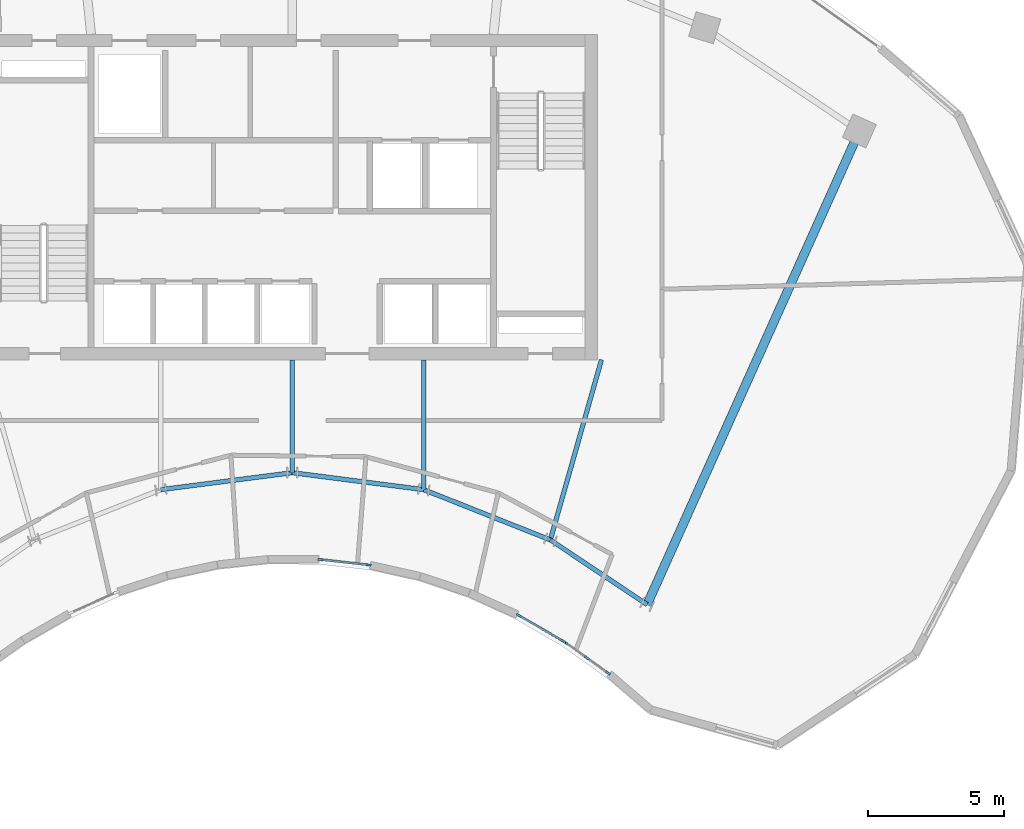
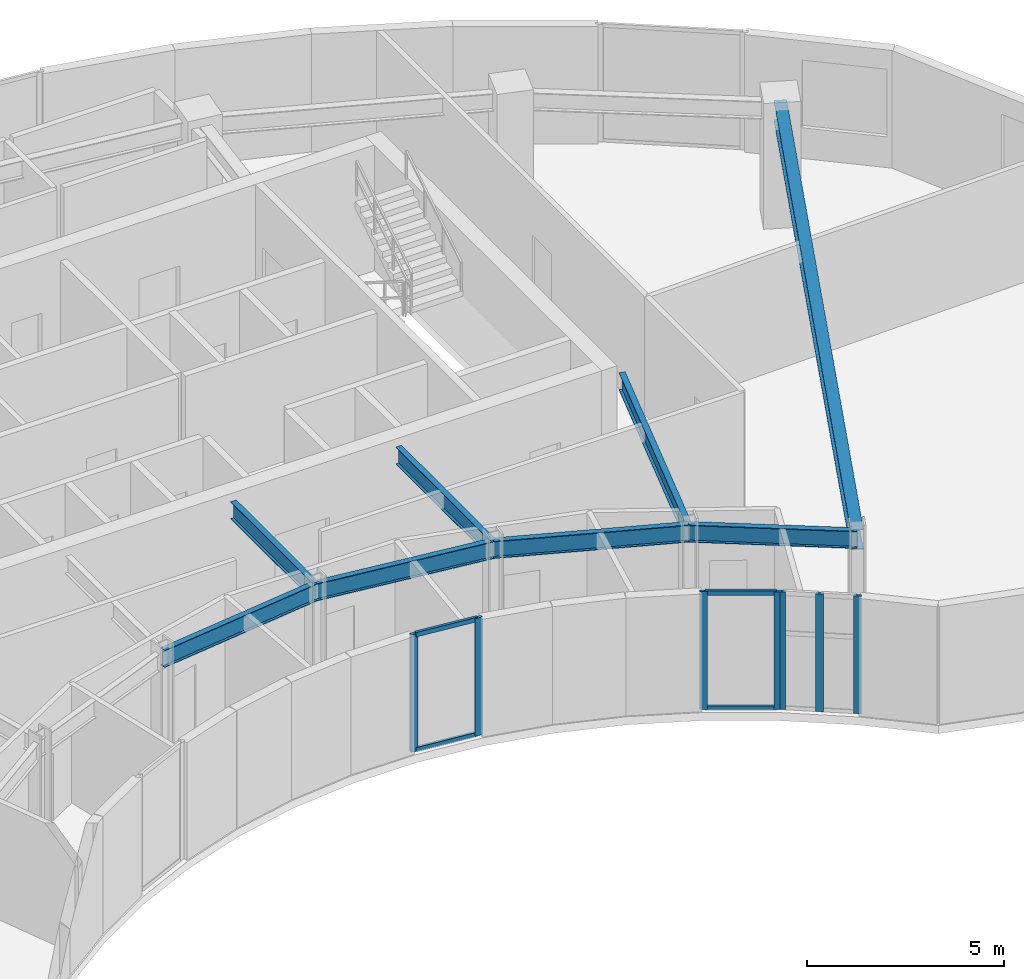
# One storey, part 3 of 12: 11 members, 8 beams, 3 elements without a shape of their own.
"""IFC4 building model written with IfcOpenShell, lengths in metres."""

from ifc_helpers import new_model, si_unit, direction, frame, origin, origin_2d, place, context, subcontext, project, spatial, rectangle, i_section, extrude, source, transform, mapped, material, layer, layer_set, material_profile, profile_set, type_object, type_shapes, element, aggregate, save


model = new_model("IFC4")

# Units and contexts
model_context = context("Model", 3, precision=1e-05, world=origin(), true_north=direction((0.0, 1.0)))
body_context = subcontext(model_context, "Body", "Model", "MODEL_VIEW")
ifc_project = project(units=[si_unit("LENGTHUNIT", "METRE"), si_unit("AREAUNIT", "SQUARE_METRE"), si_unit("VOLUMEUNIT", "CUBIC_METRE"), si_unit("PLANEANGLEUNIT", "RADIAN"), si_unit("MASSUNIT", "GRAM", prefix="KILO")], contexts=[model_context])

# Site, building, storey
site_placement = place(None, origin())
site = spatial("IfcSite", under=ifc_project, at=site_placement, CompositionType="ELEMENT")
building_placement = place(site_placement, origin())
building = spatial("IfcBuilding", under=site, at=building_placement, Name="Breltana Convention Tower", CompositionType="ELEMENT")
storey_placement = place(building_placement, frame((0.0, 0.0, 235.199951171875)))
storey = spatial("IfcBuildingStorey", under=building, at=storey_placement, Name="L57", CompositionType="ELEMENT", Elevation=235.199951171875)

# Beams
ifc_material_1 = material(Name="Steel ASTM A992 Grade 50", Category="steel")
ifc_material_profile_1 = material_profile(ifc_material_1, i_section(OverallWidth=0.166015625, OverallDepth=0.534912109375, WebThickness=0.01025390625, FlangeThickness=0.0166015625, at=origin_2d()), Name="W21X57")
ifc_profile_set_1 = profile_set([ifc_material_profile_1], Name="Steel ASTM A992 Grade 50")
beam_type_1 = type_object("IfcBeamType", Name="BM-BM-W21X57", PredefinedType="BEAM", material=ifc_profile_set_1)
shared_shape_1 = source(origin(), body_context, "Body", "SweptSolid", [
    extrude(i_section(OverallWidth=0.166015625, OverallDepth=0.534912109375, WebThickness=0.01025390625, FlangeThickness=0.0166015625, at=origin_2d()), origin(), (0.0, 0.0, 1.0), 6.904541015625),
])
type_shapes(beam_type_1, [shared_shape_1])
beam_1_placement = place(storey_placement, frame((59.39990234375, 60.199951171875, 3.382568359375), z_axis=(-0.273006781054, -0.962012108811, 0.0), x_axis=(0.962012108811, -0.273006781054, 0.0)))
element("IfcBeam", 1, at=beam_1_placement, inside=storey, type_object=beam_type_1, Name="L57 South Core Tie Girder R08", PredefinedType="BEAM", context=body_context, shape_type="MappedRepresentation", body=[
    mapped(shared_shape_1, transform((0.0, 0.0, 0.0), scale=1.0)),
])
shared_shape_2 = source(origin(), body_context, "Body", "SweptSolid", [
    extrude(i_section(OverallWidth=0.166015625, OverallDepth=0.534912109375, WebThickness=0.01025390625, FlangeThickness=0.0166015625, at=origin_2d()), origin(), (0.0, 0.0, 1.0), 4.789306640625),
])
beam_2_placement = place(storey_placement, frame((52.846435546875, 60.199951171875, 3.382568359375), z_axis=(0.0, -1.0, 0.0), x_axis=(1.0, 0.0, 0.0)))
element("IfcBeam", 2, at=beam_2_placement, inside=storey, type_object=beam_type_1, Name="L57 South Core Tie Girder R07", PredefinedType="BEAM", context=body_context, shape_type="MappedRepresentation", body=[
    mapped(shared_shape_2, transform((0.0, 0.0, 0.0), scale=1.0)),
])
shared_shape_3 = source(origin(), body_context, "Body", "SweptSolid", [
    extrude(i_section(OverallWidth=0.166015625, OverallDepth=0.534912109375, WebThickness=0.01025390625, FlangeThickness=0.0166015625, at=origin_2d()), origin(), (0.0, 0.0, 1.0), 4.1640625),
])
beam_3_placement = place(storey_placement, frame((48.0, 60.199951171875, 3.382568359375), z_axis=(0.0, -1.0, 0.0), x_axis=(1.0, 0.0, 0.0)))
element("IfcBeam", 3, at=beam_3_placement, inside=storey, type_object=beam_type_1, Name="L57 South Core Tie Girder R06", PredefinedType="BEAM", context=body_context, shape_type="MappedRepresentation", body=[
    mapped(shared_shape_3, transform((0.0, 0.0, 0.0), scale=1.0)),
])
shared_shape_4 = source(origin(), body_context, "Body", "SweptSolid", [
    extrude(i_section(OverallWidth=0.166015625, OverallDepth=0.534912109375, WebThickness=0.01025390625, FlangeThickness=0.0166015625, at=origin_2d()), origin(), (0.0, 0.0, 1.0), 5.022705078125),
])
beam_4_placement = place(storey_placement, frame((52.846435546875, 55.41064453125, 3.382568359375), z_axis=(0.929458966248, -0.368925507469, 0.0), x_axis=(0.368925507469, 0.929458966248, 0.0)))
element("IfcBeam", 4, at=beam_4_placement, inside=storey, type_object=beam_type_1, Name="L57 Inner Ring Beam 07", PredefinedType="BEAM", context=body_context, shape_type="MappedRepresentation", body=[
    mapped(shared_shape_4, transform((0.0, 0.0, 0.0), scale=1.0)),
])
shared_shape_5 = source(origin(), body_context, "Body", "SweptSolid", [
    extrude(i_section(OverallWidth=0.166015625, OverallDepth=0.534912109375, WebThickness=0.01025390625, FlangeThickness=0.0166015625, at=origin_2d()), origin(), (0.0, 0.0, 1.0), 4.88671875),
])
for number, where, z_axis, x_axis, name in (
    (5, (43.153564453125, 55.41064453125, 3.382568359375), (0.991780525565, 0.127950729231, 0.0), (-0.127950729231, 0.991780525565, 0.0), "L57 Inner Ring Beam 05"),
    (6, (48.0, 56.035888671875, 3.382568359375), (0.991780525565, -0.127950729231, 0.0), (0.127950729231, 0.991780525565, 0.0), "L57 Inner Ring Beam 06"),
):
    element("IfcBeam", number, at=place(storey_placement, frame(where, z_axis=z_axis, x_axis=x_axis)), inside=storey, type_object=beam_type_1, Name=name, PredefinedType="BEAM", context=body_context, shape_type="MappedRepresentation", body=[
        mapped(shared_shape_5, transform((0.0, 0.0, 0.0), scale=1.0)),
    ])
shared_shape_6 = source(origin(), body_context, "Body", "SweptSolid", [
    extrude(i_section(OverallWidth=0.166015625, OverallDepth=0.534912109375, WebThickness=0.01025390625, FlangeThickness=0.0166015625, at=origin_2d()), origin(), (0.0, 0.0, 1.0), 4.2900390625),
])
beam_5_placement = place(storey_placement, frame((57.514892578125, 53.5576171875, 3.382568359375), z_axis=(0.831515827753, -0.555501060482, 0.0), x_axis=(0.555501060482, 0.831515827753, 0.0)))
element("IfcBeam", 7, at=beam_5_placement, inside=storey, type_object=beam_type_1, Name="L57 Inner Ring Beam 08", PredefinedType="BEAM", context=body_context, shape_type="MappedRepresentation", body=[
    mapped(shared_shape_6, transform((0.0, 0.0, 0.0), scale=1.0)),
])
ifc_material_profile_2 = material_profile(ifc_material_1, i_section(OverallWidth=0.326904296875, OverallDepth=0.6220703125, WebThickness=0.015380859375, FlangeThickness=0.0244140625, at=origin_2d()), Name="W24X131")
ifc_profile_set_2 = profile_set([ifc_material_profile_2], Name="Steel ASTM A992 Grade 50")
beam_type_2 = type_object("IfcBeamType", Name="BM-RG-W24X131", PredefinedType="USERDEFINED", material=ifc_profile_set_2)
shared_shape_7 = source(origin(), body_context, "Body", "SweptSolid", [
    extrude(i_section(OverallWidth=0.326904296875, OverallDepth=0.6220703125, WebThickness=0.015380859375, FlangeThickness=0.0244140625, at=origin_2d()), origin(), (0.0, 0.0, 1.0), 19.133544921875),
])
beam_6_placement = place(storey_placement, frame((61.08203125, 51.174560546875, 3.339111328125), z_axis=(0.409144564164, 0.912469575172, 0.0), x_axis=(-0.912469575172, 0.409144564164, 0.0)))
element("IfcBeam", 8, at=beam_6_placement, inside=storey, type_object=beam_type_2, Name="L57 Radial Floor Girder R09", ObjectType="GIRDER", PredefinedType="USERDEFINED", context=body_context, shape_type="MappedRepresentation", body=[
    mapped(shared_shape_7, transform((0.0, 0.0, 0.0), scale=1.0)),
])

# Curtain wall, members
ifc_material_2 = material(Name="Aluminium Anodised Bronze Frame", Category="aluminium")
ifc_layer = layer(ifc_material_2, 0.18994140625, Name="Aluminium Anodised Bronze Frame")
ifc_layer_set = layer_set([ifc_layer], Name="Aluminium Anodised Bronze Frame")
curtain_wall_type = type_object("IfcCurtainWallType", Name="CW-SYS-1", PredefinedType="NOTDEFINED", material=ifc_layer_set)
curtain_wall_1_placement = place(storey_placement, origin())
curtain_wall_1 = element("IfcCurtainWall", 9, at=curtain_wall_1_placement, inside=storey, type_object=curtain_wall_type, Name="L57 inner south-court glazing 1", PredefinedType="NOTDEFINED")
ifc_material_3 = material(Name="Aluminium Anodised Bronze", Category="aluminium")
ifc_material_profile_3 = material_profile(ifc_material_3, rectangle(XDim=0.080078125, YDim=0.199951171875, at=origin_2d()), Name="CWM-80X200")
ifc_profile_set_3 = profile_set([ifc_material_profile_3], Name="Aluminium Anodised Bronze")
member_type_1 = type_object("IfcMemberType", Name="CWM-200", PredefinedType="MULLION", material=ifc_profile_set_3)
shared_shape_8 = source(origin(), body_context, "Body", "SweptSolid", [
    extrude(rectangle(XDim=0.080078125, YDim=0.199951171875, at=origin_2d()), origin(), (0.0, 0.0, 1.0), 3.650146484375),
])
member_1_placement = place(storey_placement, frame((59.642822265625, 48.650390625, 0.0), z_axis=(0.0, 0.0, 1.0), x_axis=(-0.580679280365, -0.814132405297, 0.0)))
member_1 = element("IfcMember", 10, at=member_1_placement, type_object=member_type_1, Name="CW-01 mullion 1", PredefinedType="MULLION", context=body_context, shape_type="MappedRepresentation", body=[
    mapped(shared_shape_8, transform((0.0, 0.0, 0.0), scale=1.0)),
])
member_2_placement = place(storey_placement, frame((58.85546875, 49.2119140625, 0.0), z_axis=(0.0, 0.0, 1.0), x_axis=(-0.580679280365, -0.814132405297, 0.0)))
member_2 = element("IfcMember", 11, at=member_2_placement, type_object=member_type_1, Name="CW-01 mullion 2", PredefinedType="MULLION", context=body_context, shape_type="MappedRepresentation", body=[
    mapped(shared_shape_8, transform((0.0, 0.0, 0.0), scale=1.0)),
])
member_3_placement = place(storey_placement, frame((58.06787109375, 49.773681640625, 0.0), z_axis=(0.0, 0.0, 1.0), x_axis=(-0.580679280365, -0.814132405297, 0.0)))
member_3 = element("IfcMember", 12, at=member_3_placement, type_object=member_type_1, Name="CW-01 mullion 3", PredefinedType="MULLION", context=body_context, shape_type="MappedRepresentation", body=[
    mapped(shared_shape_8, transform((0.0, 0.0, 0.0), scale=1.0)),
])
aggregate(curtain_wall_1, [member_1, member_2, member_3])

curtain_wall_2_placement = place(storey_placement, origin())
curtain_wall_2 = element("IfcCurtainWall", 13, at=curtain_wall_2_placement, inside=storey, type_object=curtain_wall_type, Name="L57 inner south-court glazing 2", PredefinedType="NOTDEFINED")
member_4_placement = place(storey_placement, frame((57.986328125, 49.826171875, 0.0), z_axis=(0.0, 0.0, 1.0), x_axis=(-0.501190266215, -0.865337111796, 0.0)))
member_4 = element("IfcMember", 14, at=member_4_placement, type_object=member_type_1, Name="CW-01 mullion 1", PredefinedType="MULLION", context=body_context, shape_type="MappedRepresentation", body=[
    mapped(shared_shape_8, transform((0.0, 0.0, 0.0), scale=1.0)),
])
member_5_placement = place(storey_placement, frame((56.35009765625, 50.77392578125, 0.0), z_axis=(0.0, 0.0, 1.0), x_axis=(-0.501190266215, -0.865337111796, 0.0)))
member_5 = element("IfcMember", 15, at=member_5_placement, type_object=member_type_1, Name="CW-01 mullion 2", PredefinedType="MULLION", context=body_context, shape_type="MappedRepresentation", body=[
    mapped(shared_shape_8, transform((0.0, 0.0, 0.0), scale=1.0)),
])

curtain_wall_3_placement = place(storey_placement, origin())
curtain_wall_3 = element("IfcCurtainWall", 16, at=curtain_wall_3_placement, inside=storey, type_object=curtain_wall_type, Name="L57 inner south-court glazing 3", PredefinedType="NOTDEFINED")
member_6_placement = place(storey_placement, frame((50.810791015625, 52.634033203125, 0.0), z_axis=(0.0, 0.0, 1.0), x_axis=(-0.111262094719, -0.993791097907, 0.0)))
member_6 = element("IfcMember", 17, at=member_6_placement, type_object=member_type_1, Name="CW-01 mullion 1", PredefinedType="MULLION", context=body_context, shape_type="MappedRepresentation", body=[
    mapped(shared_shape_8, transform((0.0, 0.0, 0.0), scale=1.0)),
])
member_7_placement = place(storey_placement, frame((49.03857421875, 52.83251953125, 0.0), z_axis=(0.0, 0.0, 1.0), x_axis=(-0.111262094719, -0.993791097907, 0.0)))
member_7 = element("IfcMember", 18, at=member_7_placement, type_object=member_type_1, Name="CW-01 mullion 2", PredefinedType="MULLION", context=body_context, shape_type="MappedRepresentation", body=[
    mapped(shared_shape_8, transform((0.0, 0.0, 0.0), scale=1.0)),
])

# Member
ifc_material_profile_4 = material_profile(ifc_material_3, rectangle(XDim=0.080078125, YDim=0.139892578125, at=origin_2d()), Name="CWT-80X140")
ifc_profile_set_4 = profile_set([ifc_material_profile_4], Name="Aluminium Anodised Bronze")
member_type_2 = type_object("IfcMemberType", Name="CWT-140", PredefinedType="USERDEFINED", material=ifc_profile_set_4)
shared_shape_9 = source(origin(), body_context, "Body", "SweptSolid", [
    extrude(rectangle(XDim=0.080078125, YDim=0.139892578125, at=origin_2d()), origin(), (0.0, 0.0, 1.0), 1.810791015625),
])
member_8_placement = place(storey_placement, frame((57.95166015625, 49.84619140625, 0.0400390625), z_axis=(-0.865290871949, 0.501270093784, 0.0), x_axis=(-0.501270093784, -0.865290871949, 0.0)))
member_8 = element("IfcMember", 19, at=member_8_placement, type_object=member_type_2, Name="CW-01 transom 1.1", ObjectType="TRANSOM", PredefinedType="USERDEFINED", context=body_context, shape_type="MappedRepresentation", body=[
    mapped(shared_shape_9, transform((0.0, 0.0, 0.0), scale=1.0)),
])

member_9_placement = place(storey_placement, frame((57.95166015625, 49.84619140625, 3.610107421875), z_axis=(-0.865290871949, 0.501270093784, 0.0), x_axis=(-0.501270093784, -0.865290871949, 0.0)))
member_9 = element("IfcMember", 20, at=member_9_placement, type_object=member_type_2, Name="CW-01 transom 1.2", ObjectType="TRANSOM", PredefinedType="USERDEFINED", context=body_context, shape_type="MappedRepresentation", body=[
    mapped(shared_shape_9, transform((0.0, 0.0, 0.0), scale=1.0)),
])

aggregate(curtain_wall_2, [member_4, member_5, member_8, member_9])

shared_shape_10 = source(origin(), body_context, "Body", "SweptSolid", [
    extrude(rectangle(XDim=0.080078125, YDim=0.139892578125, at=origin_2d()), origin(), (0.0, 0.0, 1.0), 1.703125),
])
member_10_placement = place(storey_placement, frame((50.77099609375, 52.638427734375, 0.0400390625), z_axis=(-0.993794258689, 0.111233859043, 0.0), x_axis=(-0.111233859043, -0.993794258689, 0.0)))
member_10 = element("IfcMember", 21, at=member_10_placement, type_object=member_type_2, Name="CW-01 transom 1.1", ObjectType="TRANSOM", PredefinedType="USERDEFINED", context=body_context, shape_type="MappedRepresentation", body=[
    mapped(shared_shape_10, transform((0.0, 0.0, 0.0), scale=1.0)),
])

member_11_placement = place(storey_placement, frame((50.77099609375, 52.638427734375, 3.610107421875), z_axis=(-0.993794258689, 0.111233859043, 0.0), x_axis=(-0.111233859043, -0.993794258689, 0.0)))
member_11 = element("IfcMember", 22, at=member_11_placement, type_object=member_type_2, Name="CW-01 transom 1.2", ObjectType="TRANSOM", PredefinedType="USERDEFINED", context=body_context, shape_type="MappedRepresentation", body=[
    mapped(shared_shape_10, transform((0.0, 0.0, 0.0), scale=1.0)),
])

aggregate(curtain_wall_3, [member_6, member_7, member_10, member_11])

save(model, "model.ifc")
